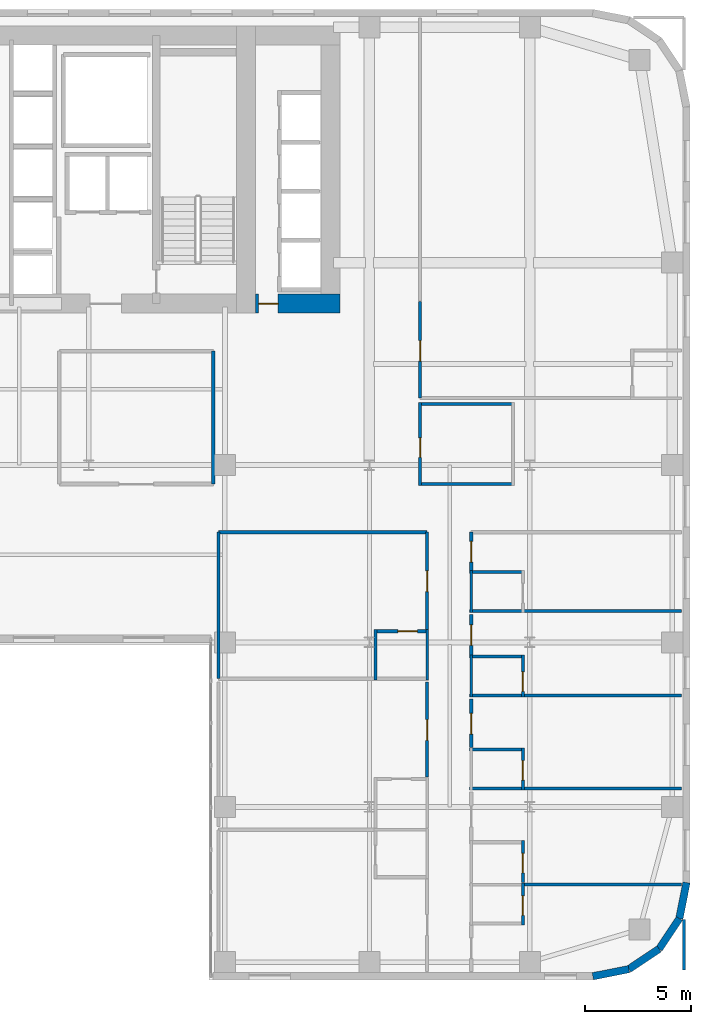
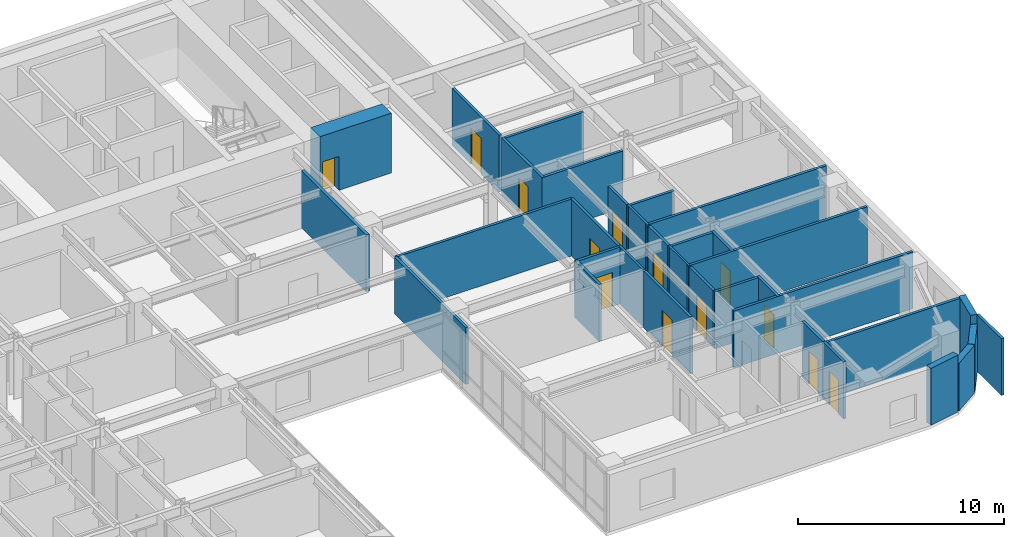
# One storey, part 13 of 17: 34 walls, 13 doors, 13 openings.
"""IFC4 building model written with IfcOpenShell, lengths in metres."""

from ifc_helpers import new_model, si_unit, direction, frame, frame_2d, origin, place, context, subcontext, project, spatial, rectangle, extrude, source, transform, mapped, material, layer, layer_set, type_object, type_shapes, element, fill, save


model = new_model("IFC4")

# Units and contexts
model_context = context("Model", 3, precision=1e-05, world=origin(), true_north=direction((0.0, 1.0)))
body_context = subcontext(model_context, "Body", "Model", "MODEL_VIEW")
ifc_project = project(units=[si_unit("LENGTHUNIT", "METRE"), si_unit("AREAUNIT", "SQUARE_METRE"), si_unit("VOLUMEUNIT", "CUBIC_METRE"), si_unit("PLANEANGLEUNIT", "RADIAN"), si_unit("MASSUNIT", "GRAM", prefix="KILO")], contexts=[model_context])

# Site, building, storey
site_placement = place(None, origin())
site = spatial("IfcSite", under=ifc_project, at=site_placement, CompositionType="ELEMENT")
building_placement = place(site_placement, origin())
building = spatial("IfcBuilding", under=site, at=building_placement, Name="Tolvann Quenvar Hotel", CompositionType="ELEMENT")
storey_placement = place(building_placement, frame((0.0, 0.0, 35.550048828125)))
storey = spatial("IfcBuildingStorey", under=building, at=storey_placement, Name="L07", CompositionType="ELEMENT", Elevation=35.550048828125)

# Wall, opening, door
ifc_material_1 = material(Name="Concrete S80 (80 MPa)", Category="concrete")
ifc_layer_1 = layer(ifc_material_1, 0.89990234375)
ifc_layer_set_1 = layer_set([ifc_layer_1], Name="Concrete S80 (80 MPa)")
wall_type_1 = type_object("IfcWallType", Name="WALL_CORE_900", PredefinedType="SHEAR", material=ifc_layer_set_1)
wall_1_placement = place(storey_placement, frame((36.39990234375, 32.050048828125, 0.0), z_axis=(0.0, 0.0, 1.0), x_axis=(1.0, 0.0, 0.0)))
wall_1 = element("IfcWall", 1, at=wall_1_placement, inside=storey, type_object=wall_type_1, Name="Core East Annex Shear Wall ANN-S (L07)", PredefinedType="SHEAR", context=body_context, shape_type="SweptSolid", body=[
    extrude(rectangle(XDim=4.0, YDim=0.89990234375, at=frame_2d((2.0, 0.0))), origin(), (0.0, 0.0, 1.0), 3.550048828125),
])
opening_1_placement = place(wall_1_placement, frame((1.06982421875, 0.0, 0.0), z_axis=(0.0, 0.0, 1.0), x_axis=(-1.0, 0.0, 0.0)))
opening_1 = element("IfcOpeningElement", 2, at=opening_1_placement, cuts=wall_1, Name="Opening WD-01", PredefinedType="OPENING", context=body_context, shape_type="SweptSolid", body=[
    extrude(rectangle(XDim=0.919921875, YDim=2.010009765625, at=frame_2d((0.4599609375, 1.0048828125))), frame((0.0, 0.4599609375, 0.0), z_axis=(0.0, -1.0, 0.0), x_axis=(1.0, 0.0, 0.0)), (0.0, 0.0, 1.0), 0.919921875),
])
ifc_material_2 = material(Name="Solid-core American oak acoustic fire door leaf in steel frame", Category="steel")
door_type_1 = type_object("IfcDoorType", Name="DOOR_WC_920", OperationType="NOTDEFINED", PredefinedType="DOOR", material=ifc_material_2)
shared_shape_1 = source(origin(), body_context, "Body", "SweptSolid", [
    extrude(rectangle(XDim=0.919921875, YDim=2.010009765625, at=frame_2d((0.4599609375, 1.0048828125))), frame((0.0, 0.02490234375, 0.0), z_axis=(0.0, -1.0, 0.0), x_axis=(1.0, 0.0, 0.0)), (0.0, 0.0, 1.0), 0.050048828125),
])
type_shapes(door_type_1, [shared_shape_1])
door_1_placement = place(opening_1_placement, origin())
door_1 = element("IfcDoor", 3, at=door_1_placement, inside=storey, type_object=door_type_1, Name="Low-Rise Lift Lobby Fire Door (L07)", OperationType="SINGLE_SWING_RIGHT", OverallHeight=2.010009765625, OverallWidth=0.919921875, PredefinedType="DOOR", context=body_context, shape_type="MappedRepresentation", body=[
    mapped(shared_shape_1, transform((0.0, 0.0, 0.0), x_axis=(1.0, 0.0, 0.0), y_axis=(0.0, 1.0, 0.0), z_axis=(0.0, 0.0, 1.0), scale=1.0)),
])
fill(opening_1, door_1)

# Walls
ifc_material_3 = material(Name="Kiln-fired red and buff architectural clay brickwork and terracotta masonry", Category="masonry")
ifc_layer_2 = layer(ifc_material_3, 0.35009765625)
ifc_layer_set_2 = layer_set([ifc_layer_2], Name="Kiln-fired red and buff architectural clay brickwork and terracotta masonry")
wall_type_2 = type_object("IfcWallType", Name="WALL_EXT_BRICK_350", PredefinedType="SOLIDWALL", material=ifc_layer_set_2)
wall_2_placement = place(storey_placement, frame((52.3828125, 0.175048828125, 0.0), z_axis=(0.0, 0.0, 1.0), x_axis=(0.980800971659, 0.195011420161, 0.0)))
element("IfcWall", 4, at=wall_2_placement, inside=storey, type_object=wall_type_2, Name="Exterior Chicago Brick Wall L07-E09", PredefinedType="SOLIDWALL", context=body_context, shape_type="SweptSolid", body=[
    extrude(rectangle(XDim=1.74267578125, YDim=0.35009765625, at=frame_2d((0.871337890625, 0.0))), origin(), (0.0, 0.0, 1.0), 3.369873046875),
])
for number, where, z_axis, x_axis, name in (
    (5, (54.092041015625, 0.514892578125, 0.0), (0.0, 0.0, 1.0), (0.831483840845, 0.55554893791, 0.0), "Exterior Chicago Brick Wall L07-E10"),
    (6, (55.526611328125, 1.473388671875, 0.0), (0.0, 0.0, 1.0), (0.55554893791, 0.831483840845, 0.0), "Exterior Chicago Brick Wall L07-E11"),
):
    element("IfcWall", number, at=place(storey_placement, frame(where, z_axis=z_axis, x_axis=x_axis)), inside=storey, type_object=wall_type_2, Name=name, PredefinedType="SOLIDWALL", context=body_context, shape_type="SweptSolid", body=[
        extrude(rectangle(XDim=1.725341796875, YDim=0.35009765625, at=frame_2d((0.86279296875, 0.0))), origin(), (0.0, 0.0, 1.0), 2.83203125),
    ])
wall_3_placement = place(storey_placement, frame((56.485107421875, 2.907958984375, 0.0), z_axis=(0.0, 0.0, 1.0), x_axis=(0.195011420161, 0.980800971659, 0.0)))
element("IfcWall", 7, at=wall_3_placement, inside=storey, type_object=wall_type_2, Name="Exterior Chicago Brick Wall L07-E12", PredefinedType="SOLIDWALL", context=body_context, shape_type="SweptSolid", body=[
    extrude(rectangle(XDim=1.74267578125, YDim=0.35009765625, at=frame_2d((0.871337890625, 0.0))), origin(), (0.0, 0.0, 1.0), 3.369873046875),
])
ifc_material_4 = material(Name="Acoustic twin-stud fire-rated gypsum plasterboard partition")
ifc_layer_3 = layer(ifc_material_4, 0.179931640625)
ifc_layer_set_3 = layer_set([ifc_layer_3], Name="Acoustic twin-stud fire-rated gypsum plasterboard partition")
wall_type_3 = type_object("IfcWallType", Name="WALL_PART_ACOUSTIC_180", PredefinedType="PARTITIONING", material=ifc_layer_set_3)
wall_4_placement = place(storey_placement, frame((34.39990234375, 23.5, 0.0), z_axis=(0.0, 0.0, 1.0), x_axis=(0.0, 1.0, 0.0)))
element("IfcWall", 8, at=wall_4_placement, inside=storey, type_object=wall_type_3, Name="Interior Partition PT-SPC-L07-MSP-C-E", PredefinedType="PARTITIONING", context=body_context, shape_type="SweptSolid", body=[
    extrude(rectangle(XDim=6.300048828125, YDim=0.179931640625, at=frame_2d((3.14990234375, 0.0))), origin(), (0.0, 0.0, 1.0), 3.369873046875),
])
ifc_material_5 = material(Name="Moisture-resistant acoustic plumbing wall assembly")
ifc_layer_4 = layer(ifc_material_5, 0.1201171875)
ifc_layer_set_4 = layer_set([ifc_layer_4], Name="Moisture-resistant acoustic plumbing wall assembly")
wall_type_4 = type_object("IfcWallType", Name="WALL_PART_BATH_120", PredefinedType="PLUMBINGWALL", material=ifc_layer_set_4)
wall_5_placement = place(storey_placement, frame((44.530029296875, 14.2099609375, 0.0), z_axis=(0.0, 0.0, 1.0), x_axis=(0.0, 1.0, 0.0)))
element("IfcWall", 9, at=wall_5_placement, inside=storey, type_object=wall_type_4, Name="Non-Rated Plumbing Partition PT-SPC-L07-ENS-EI03-E", PredefinedType="PLUMBINGWALL", context=body_context, shape_type="SweptSolid", body=[
    extrude(rectangle(XDim=2.39013671875, YDim=0.1201171875, at=frame_2d((1.195068359375, 0.0))), origin(), (0.0, 0.0, 1.0), 3.369873046875),
])
for number, where, z_axis, x_axis, name in (
    (10, (46.6201171875, 13.409912109375, 0.0), (0.0, 0.0, 1.0), (0.0, 1.0, 0.0), "Non-Rated Plumbing Partition PT-SPC-L07-ENS-EO04-W"),
    (11, (46.6201171875, 17.409912109375, 0.0), (0.0, 0.0, 1.0), (0.0, 1.0, 0.0), "Non-Rated Plumbing Partition PT-SPC-L07-ENS-EO05-W"),
):
    element("IfcWall", number, at=place(storey_placement, frame(where, z_axis=z_axis, x_axis=x_axis)), inside=storey, type_object=wall_type_4, Name=name, PredefinedType="PLUMBINGWALL", context=body_context, shape_type="SweptSolid", body=[
        extrude(rectangle(XDim=1.989990234375, YDim=0.1201171875, at=frame_2d((0.9951171875, 0.0))), origin(), (0.0, 0.0, 1.0), 3.369873046875),
    ])
ifc_layer_5 = layer(ifc_material_4, 0.14990234375)
ifc_layer_set_5 = layer_set([ifc_layer_5], Name="Acoustic twin-stud fire-rated gypsum plasterboard partition")
wall_type_5 = type_object("IfcWallType", Name="WALL_PART_SUITE_150", PredefinedType="PARTITIONING", material=ifc_layer_set_5)
wall_6_placement = place(storey_placement, frame((42.080078125, 14.2099609375, 0.0), z_axis=(0.0, 0.0, 1.0), x_axis=(0.0, 1.0, 0.0)))
element("IfcWall", 12, at=wall_6_placement, inside=storey, type_object=wall_type_5, Name="Interior Partition PT-SPC-L07-ENS-EI03-ENT", PredefinedType="PARTITIONING", context=body_context, shape_type="SweptSolid", body=[
    extrude(rectangle(XDim=2.39013671875, YDim=0.14990234375, at=frame_2d((1.195068359375, 0.0))), origin(), (0.0, 0.0, 1.0), 3.369873046875),
])

# Wall, opening, door
wall_7_placement = place(storey_placement, frame((42.010009765625, 16.530029296875, 0.0), z_axis=(0.0, 0.0, 1.0), x_axis=(1.0, 0.0, 0.0)))
wall_7 = element("IfcWall", 13, at=wall_7_placement, inside=storey, type_object=wall_type_5, Name="Interior Partition PT-SPC-L07-ENS-EI03-N", PredefinedType="PARTITIONING", context=body_context, shape_type="SweptSolid", body=[
    extrude(rectangle(XDim=2.590087890625, YDim=0.14990234375, at=frame_2d((1.294921875, 0.0))), origin(), (0.0, 0.0, 1.0), 3.369873046875),
])
opening_2_placement = place(wall_7_placement, frame((1.135009765625, 0.0, 0.0)))
opening_2 = element("IfcOpeningElement", 14, at=opening_2_placement, cuts=wall_7, Name="Opening WD-01", PredefinedType="OPENING", context=body_context, shape_type="SweptSolid", body=[
    extrude(rectangle(XDim=0.919921875, YDim=2.010009765625, at=frame_2d((0.4599609375, 1.0048828125))), frame((0.0, 0.0849609375, 0.0), z_axis=(0.0, -1.0, 0.0), x_axis=(1.0, 0.0, 0.0)), (0.0, 0.0, 1.0), 0.169921875),
])
door_2_placement = place(opening_2_placement, origin())
door_2 = element("IfcDoor", 15, at=door_2_placement, inside=storey, type_object=door_type_1, Name="Interior Door DOOR-SPC-L07-ENS-EI03", OperationType="SINGLE_SWING_RIGHT", OverallHeight=2.010009765625, OverallWidth=0.919921875, PredefinedType="DOOR", context=body_context, shape_type="MappedRepresentation", body=[
    mapped(shared_shape_1, transform((0.0, 0.0, 0.0), x_axis=(1.0, 0.0, 0.0), y_axis=(0.0, 1.0, 0.0), z_axis=(0.0, 0.0, 1.0), scale=1.0)),
])
fill(opening_2, door_2)

wall_8_placement = place(storey_placement, frame((49.070068359375, 2.60009765625, 0.0), z_axis=(0.0, 0.0, 1.0), x_axis=(0.0, 1.0, 0.0)))
wall_8 = element("IfcWall", 16, at=wall_8_placement, inside=storey, type_object=wall_type_5, Name="Interior Partition PT-SPC-L07-ENS-EO01-ENT", PredefinedType="PARTITIONING", context=body_context, shape_type="SweptSolid", body=[
    extrude(rectangle(XDim=1.989990234375, YDim=0.14990234375, at=frame_2d((0.9951171875, 0.0))), origin(), (0.0, 0.0, 1.0), 3.369873046875),
])
opening_3_placement = place(wall_8_placement, frame((0.465087890625, 0.0, 0.0)))
opening_3 = element("IfcOpeningElement", 17, at=opening_3_placement, cuts=wall_8, Name="Opening WD-01", PredefinedType="OPENING", context=body_context, shape_type="SweptSolid", body=[
    extrude(rectangle(XDim=0.919921875, YDim=2.010009765625, at=frame_2d((0.4599609375, 1.0048828125))), frame((0.0, 0.0849609375, 0.0), z_axis=(0.0, -1.0, 0.0), x_axis=(1.0, 0.0, 0.0)), (0.0, 0.0, 1.0), 0.169921875),
])
door_3_placement = place(opening_3_placement, origin())
door_3 = element("IfcDoor", 18, at=door_3_placement, inside=storey, type_object=door_type_1, Name="Interior Door DOOR-SPC-L07-ENS-EO01", OperationType="SINGLE_SWING_LEFT", OverallHeight=2.010009765625, OverallWidth=0.919921875, PredefinedType="DOOR", context=body_context, shape_type="MappedRepresentation", body=[
    mapped(shared_shape_1, transform((0.0, 0.0, 0.0), x_axis=(1.0, 0.0, 0.0), y_axis=(0.0, 1.0, 0.0), z_axis=(0.0, 0.0, 1.0), scale=1.0)),
])
fill(opening_3, door_3)

wall_9_placement = place(storey_placement, frame((49.070068359375, 4.610107421875, 0.0), z_axis=(0.0, 0.0, 1.0), x_axis=(0.0, 1.0, 0.0)))
wall_9 = element("IfcWall", 19, at=wall_9_placement, inside=storey, type_object=wall_type_5, Name="Interior Partition PT-SPC-L07-ENS-EO02-ENT", PredefinedType="PARTITIONING", context=body_context, shape_type="SweptSolid", body=[
    extrude(rectangle(XDim=1.989990234375, YDim=0.14990234375, at=frame_2d((0.9951171875, 0.0))), origin(), (0.0, 0.0, 1.0), 3.369873046875),
])
opening_4_placement = place(wall_9_placement, frame((0.465087890625, 0.0, 0.0)))
opening_4 = element("IfcOpeningElement", 20, at=opening_4_placement, cuts=wall_9, Name="Opening WD-01", PredefinedType="OPENING", context=body_context, shape_type="SweptSolid", body=[
    extrude(rectangle(XDim=0.919921875, YDim=2.010009765625, at=frame_2d((0.4599609375, 1.0048828125))), frame((0.0, 0.0849609375, 0.0), z_axis=(0.0, -1.0, 0.0), x_axis=(1.0, 0.0, 0.0)), (0.0, 0.0, 1.0), 0.169921875),
])
door_4_placement = place(opening_4_placement, origin())
door_4 = element("IfcDoor", 21, at=door_4_placement, inside=storey, type_object=door_type_1, Name="Interior Door DOOR-SPC-L07-ENS-EO02", OperationType="SINGLE_SWING_RIGHT", OverallHeight=2.010009765625, OverallWidth=0.919921875, PredefinedType="DOOR", context=body_context, shape_type="MappedRepresentation", body=[
    mapped(shared_shape_1, transform((0.0, 0.0, 0.0), x_axis=(1.0, 0.0, 0.0), y_axis=(0.0, 1.0, 0.0), z_axis=(0.0, 0.0, 1.0), scale=1.0)),
])
fill(opening_4, door_4)

wall_10_placement = place(storey_placement, frame((49.070068359375, 9.010009765625, 0.0), z_axis=(0.0, 0.0, 1.0), x_axis=(0.0, 1.0, 0.0)))
wall_10 = element("IfcWall", 22, at=wall_10_placement, inside=storey, type_object=wall_type_5, Name="Interior Partition PT-SPC-L07-ENS-EO03-ENT", PredefinedType="PARTITIONING", context=body_context, shape_type="SweptSolid", body=[
    extrude(rectangle(XDim=1.989990234375, YDim=0.14990234375, at=frame_2d((0.9951171875, 0.0))), origin(), (0.0, 0.0, 1.0), 3.369873046875),
])
opening_5_placement = place(wall_10_placement, frame((0.465087890625, 0.0, 0.0)))
opening_5 = element("IfcOpeningElement", 23, at=opening_5_placement, cuts=wall_10, Name="Opening WD-01", PredefinedType="OPENING", context=body_context, shape_type="SweptSolid", body=[
    extrude(rectangle(XDim=0.919921875, YDim=2.010009765625, at=frame_2d((0.4599609375, 1.0048828125))), frame((0.0, 0.0849609375, 0.0), z_axis=(0.0, -1.0, 0.0), x_axis=(1.0, 0.0, 0.0)), (0.0, 0.0, 1.0), 0.169921875),
])
door_5_placement = place(opening_5_placement, origin())
door_5 = element("IfcDoor", 24, at=door_5_placement, inside=storey, type_object=door_type_1, Name="Interior Door DOOR-SPC-L07-ENS-EO03", OperationType="SINGLE_SWING_LEFT", OverallHeight=2.010009765625, OverallWidth=0.919921875, PredefinedType="DOOR", context=body_context, shape_type="MappedRepresentation", body=[
    mapped(shared_shape_1, transform((0.0, 0.0, 0.0), x_axis=(1.0, 0.0, 0.0), y_axis=(0.0, 1.0, 0.0), z_axis=(0.0, 0.0, 1.0), scale=1.0)),
])
fill(opening_5, door_5)

# Walls
wall_11_placement = place(storey_placement, frame((46.550048828125, 9.080078125, 0.0), z_axis=(0.0, 0.0, 1.0), x_axis=(1.0, 0.0, 0.0)))
element("IfcWall", 25, at=wall_11_placement, inside=storey, type_object=wall_type_5, Name="Interior Partition PT-SPC-L07-ENS-EO03-S", PredefinedType="PARTITIONING", context=body_context, shape_type="SweptSolid", body=[
    extrude(rectangle(XDim=10.044921875, YDim=0.14990234375, at=frame_2d((5.0224609375, 0.0))), origin(), (0.0, 0.0, 1.0), 3.369873046875),
])
wall_12_placement = place(storey_placement, frame((46.550048828125, 10.929931640625, 0.0), z_axis=(0.0, 0.0, 1.0), x_axis=(1.0, 0.0, 0.0)))
element("IfcWall", 26, at=wall_12_placement, inside=storey, type_object=wall_type_5, Name="Interior Partition PT-SPC-L07-ENS-EO03-N", PredefinedType="PARTITIONING", context=body_context, shape_type="SweptSolid", body=[
    extrude(rectangle(XDim=2.58984375, YDim=0.14990234375, at=frame_2d((1.294921875, 0.0))), origin(), (0.0, 0.0, 1.0), 3.369873046875),
])

# Wall, opening, door
wall_13_placement = place(storey_placement, frame((49.070068359375, 13.409912109375, 0.0), z_axis=(0.0, 0.0, 1.0), x_axis=(0.0, 1.0, 0.0)))
wall_13 = element("IfcWall", 27, at=wall_13_placement, inside=storey, type_object=wall_type_5, Name="Interior Partition PT-SPC-L07-ENS-EO04-ENT", PredefinedType="PARTITIONING", context=body_context, shape_type="SweptSolid", body=[
    extrude(rectangle(XDim=1.989990234375, YDim=0.14990234375, at=frame_2d((0.9951171875, 0.0))), origin(), (0.0, 0.0, 1.0), 3.369873046875),
])
opening_6_placement = place(wall_13_placement, frame((0.27001953125, 0.0, 0.0)))
opening_6 = element("IfcOpeningElement", 28, at=opening_6_placement, cuts=wall_13, Name="Opening WD-01", PredefinedType="OPENING", context=body_context, shape_type="SweptSolid", body=[
    extrude(rectangle(XDim=0.919921875, YDim=2.010009765625, at=frame_2d((0.4599609375, 1.0048828125))), frame((0.0, 0.0849609375, 0.0), z_axis=(0.0, -1.0, 0.0), x_axis=(1.0, 0.0, 0.0)), (0.0, 0.0, 1.0), 0.169921875),
])
door_6_placement = place(opening_6_placement, origin())
door_6 = element("IfcDoor", 29, at=door_6_placement, inside=storey, type_object=door_type_1, Name="Interior Door DOOR-SPC-L07-ENS-EO04", OperationType="SINGLE_SWING_RIGHT", OverallHeight=2.010009765625, OverallWidth=0.919921875, PredefinedType="DOOR", context=body_context, shape_type="MappedRepresentation", body=[
    mapped(shared_shape_1, transform((0.0, 0.0, 0.0), x_axis=(1.0, 0.0, 0.0), y_axis=(0.0, 1.0, 0.0), z_axis=(0.0, 0.0, 1.0), scale=1.0)),
])
fill(opening_6, door_6)

# Walls
wall_14_placement = place(storey_placement, frame((46.550048828125, 13.47998046875, 0.0), z_axis=(0.0, 0.0, 1.0), x_axis=(1.0, 0.0, 0.0)))
element("IfcWall", 30, at=wall_14_placement, inside=storey, type_object=wall_type_5, Name="Interior Partition PT-SPC-L07-ENS-EO04-S", PredefinedType="PARTITIONING", context=body_context, shape_type="SweptSolid", body=[
    extrude(rectangle(XDim=10.044921875, YDim=0.14990234375, at=frame_2d((5.0224609375, 0.0))), origin(), (0.0, 0.0, 1.0), 3.369873046875),
])
wall_15_placement = place(storey_placement, frame((46.550048828125, 15.330078125, 0.0), z_axis=(0.0, 0.0, 1.0), x_axis=(1.0, 0.0, 0.0)))
element("IfcWall", 31, at=wall_15_placement, inside=storey, type_object=wall_type_5, Name="Interior Partition PT-SPC-L07-ENS-EO04-N", PredefinedType="PARTITIONING", context=body_context, shape_type="SweptSolid", body=[
    extrude(rectangle(XDim=2.58984375, YDim=0.14990234375, at=frame_2d((1.294921875, 0.0))), origin(), (0.0, 0.0, 1.0), 3.369873046875),
])
wall_16_placement = place(storey_placement, frame((46.550048828125, 17.47998046875, 0.0), z_axis=(0.0, 0.0, 1.0), x_axis=(1.0, 0.0, 0.0)))
element("IfcWall", 32, at=wall_16_placement, inside=storey, type_object=wall_type_5, Name="Interior Partition PT-SPC-L07-ENS-EO05-S", PredefinedType="PARTITIONING", context=body_context, shape_type="SweptSolid", body=[
    extrude(rectangle(XDim=10.044921875, YDim=0.14990234375, at=frame_2d((5.0224609375, 0.0))), origin(), (0.0, 0.0, 1.0), 3.369873046875),
])
wall_17_placement = place(storey_placement, frame((46.550048828125, 19.330078125, 0.0), z_axis=(0.0, 0.0, 1.0), x_axis=(1.0, 0.0, 0.0)))
element("IfcWall", 33, at=wall_17_placement, inside=storey, type_object=wall_type_5, Name="Interior Partition PT-SPC-L07-ENS-EO05-N", PredefinedType="PARTITIONING", context=body_context, shape_type="SweptSolid", body=[
    extrude(rectangle(XDim=2.58984375, YDim=0.14990234375, at=frame_2d((1.294921875, 0.0))), origin(), (0.0, 0.0, 1.0), 3.369873046875),
])

# Wall, opening, door
wall_18_placement = place(storey_placement, frame((44.530029296875, 9.610107421875, 0.0), z_axis=(0.0, 0.0, 1.0), x_axis=(0.0, 1.0, 0.0)))
wall_18 = element("IfcWall", 34, at=wall_18_placement, inside=storey, type_object=wall_type_5, Name="Interior Partition PT-SPC-L07-RM-EI02-ENT", PredefinedType="PARTITIONING", context=body_context, shape_type="SweptSolid", body=[
    extrude(rectangle(XDim=4.510009765625, YDim=0.14990234375, at=frame_2d((2.2548828125, 0.0))), origin(), (0.0, 0.0, 1.0), 3.369873046875),
])
opening_7_placement = place(wall_18_placement, frame((1.7451171875, 0.0, 0.0)))
opening_7 = element("IfcOpeningElement", 35, at=opening_7_placement, cuts=wall_18, Name="Opening SD-01", PredefinedType="OPENING", context=body_context, shape_type="SweptSolid", body=[
    extrude(rectangle(XDim=0.97998046875, YDim=2.1201171875, at=frame_2d((0.489990234375, 1.06005859375))), frame((0.0, 0.0849609375, 0.0), z_axis=(0.0, -1.0, 0.0), x_axis=(1.0, 0.0, 0.0)), (0.0, 0.0, 1.0), 0.169921875),
])
door_type_2 = type_object("IfcDoorType", Name="DOOR_SUITE_980", OperationType="NOTDEFINED", PredefinedType="DOOR", material=ifc_material_2)
shared_shape_2 = source(origin(), body_context, "Body", "SweptSolid", [
    extrude(rectangle(XDim=0.97998046875, YDim=2.1201171875, at=frame_2d((0.489990234375, 1.06005859375))), frame((0.0, 0.02490234375, 0.0), z_axis=(0.0, -1.0, 0.0), x_axis=(1.0, 0.0, 0.0)), (0.0, 0.0, 1.0), 0.050048828125),
])
type_shapes(door_type_2, [shared_shape_2])
door_7_placement = place(opening_7_placement, origin())
door_7 = element("IfcDoor", 36, at=door_7_placement, inside=storey, type_object=door_type_2, Name="Interior Door DOOR-SPC-L07-RM-EI02", OperationType="SINGLE_SWING_LEFT", OverallHeight=2.1201171875, OverallWidth=0.97998046875, PredefinedType="DOOR", context=body_context, shape_type="MappedRepresentation", body=[
    mapped(shared_shape_2, transform((0.0, 0.0, 0.0), x_axis=(1.0, 0.0, 0.0), y_axis=(0.0, 1.0, 0.0), z_axis=(0.0, 0.0, 1.0), scale=1.0)),
])
fill(opening_7, door_7)

wall_19_placement = place(storey_placement, frame((44.530029296875, 16.610107421875, 0.0), z_axis=(0.0, 0.0, 1.0), x_axis=(0.0, 1.0, 0.0)))
wall_19 = element("IfcWall", 37, at=wall_19_placement, inside=storey, type_object=wall_type_5, Name="Interior Partition PT-SPC-L07-RM-EI03-ENT", PredefinedType="PARTITIONING", context=body_context, shape_type="SweptSolid", body=[
    extrude(rectangle(XDim=4.60986328125, YDim=0.14990234375, at=frame_2d((2.304931640625, 0.0))), origin(), (0.0, 0.0, 1.0), 3.369873046875),
])
opening_8_placement = place(wall_19_placement, frame((1.794921875, 0.0, 0.0)))
opening_8 = element("IfcOpeningElement", 38, at=opening_8_placement, cuts=wall_19, Name="Opening SD-01", PredefinedType="OPENING", context=body_context, shape_type="SweptSolid", body=[
    extrude(rectangle(XDim=0.97998046875, YDim=2.1201171875, at=frame_2d((0.489990234375, 1.06005859375))), frame((0.0, 0.0849609375, 0.0), z_axis=(0.0, -1.0, 0.0), x_axis=(1.0, 0.0, 0.0)), (0.0, 0.0, 1.0), 0.169921875),
])
door_8_placement = place(opening_8_placement, origin())
door_8 = element("IfcDoor", 39, at=door_8_placement, inside=storey, type_object=door_type_2, Name="Interior Door DOOR-SPC-L07-RM-EI03", OperationType="SINGLE_SWING_RIGHT", OverallHeight=2.1201171875, OverallWidth=0.97998046875, PredefinedType="DOOR", context=body_context, shape_type="MappedRepresentation", body=[
    mapped(shared_shape_2, transform((0.0, 0.0, 0.0), x_axis=(1.0, 0.0, 0.0), y_axis=(0.0, 1.0, 0.0), z_axis=(0.0, 0.0, 1.0), scale=1.0)),
])
fill(opening_8, door_8)

# Walls
wall_20_placement = place(storey_placement, frame((34.64990234375, 21.219970703125, 0.0), z_axis=(0.0, 0.0, 1.0), x_axis=(1.0, 0.0, 0.0)))
element("IfcWall", 40, at=wall_20_placement, inside=storey, type_object=wall_type_5, Name="Interior Partition PT-SPC-L07-RM-EI03-E5", PredefinedType="PARTITIONING", context=body_context, shape_type="SweptSolid", body=[
    extrude(rectangle(XDim=9.880126953125, YDim=0.14990234375, at=frame_2d((4.93994140625, 0.0))), origin(), (0.0, 0.0, 1.0), 3.369873046875),
])
wall_21_placement = place(storey_placement, frame((34.64990234375, 14.280029296875, 0.0), z_axis=(0.0, 0.0, 1.0), x_axis=(0.0, 1.0, 0.0)))
element("IfcWall", 41, at=wall_21_placement, inside=storey, type_object=wall_type_5, Name="Interior Partition PT-SPC-L07-RM-EI03-E6", PredefinedType="PARTITIONING", context=body_context, shape_type="SweptSolid", body=[
    extrude(rectangle(XDim=6.93994140625, YDim=0.14990234375, at=frame_2d((3.469970703125, 0.0))), origin(), (0.0, 0.0, 1.0), 3.369873046875),
])
wall_22_placement = place(storey_placement, frame((56.699951171875, 0.47998046875, 0.0), z_axis=(0.0, 0.0, 1.0), x_axis=(0.0, 1.0, 0.0)))
element("IfcWall", 42, at=wall_22_placement, inside=storey, type_object=wall_type_5, Name="Interior Partition PT-SPC-L07-RM-EO01-E2", PredefinedType="PARTITIONING", context=body_context, shape_type="SweptSolid", body=[
    extrude(rectangle(XDim=2.385009765625, YDim=0.14990234375, at=frame_2d((1.1923828125, 0.0))), origin(), (0.0, 0.0, 1.0), 3.369873046875),
])
wall_23_placement = place(storey_placement, frame((49.14990234375, 4.52001953125, 0.0), z_axis=(0.0, 0.0, 1.0), x_axis=(1.0, 0.0, 0.0)))
element("IfcWall", 43, at=wall_23_placement, inside=storey, type_object=wall_type_5, Name="Interior Partition PT-SPC-L07-RM-EO01-E3", PredefinedType="PARTITIONING", context=body_context, shape_type="SweptSolid", body=[
    extrude(rectangle(XDim=7.445068359375, YDim=0.14990234375, at=frame_2d((3.72265625, 0.0))), origin(), (0.0, 0.0, 1.0), 3.369873046875),
])

# Wall, opening, door
wall_24_placement = place(storey_placement, frame((46.6201171875, 11.010009765625, 0.0), z_axis=(0.0, 0.0, 1.0), x_axis=(0.0, 1.0, 0.0)))
wall_24 = element("IfcWall", 44, at=wall_24_placement, inside=storey, type_object=wall_type_5, Name="Interior Partition PT-SPC-L07-RM-EO03-ENT", PredefinedType="PARTITIONING", context=body_context, shape_type="SweptSolid", body=[
    extrude(rectangle(XDim=2.31005859375, YDim=0.14990234375, at=frame_2d((1.155029296875, 0.0))), origin(), (0.0, 0.0, 1.0), 3.369873046875),
])
opening_9_placement = place(wall_24_placement, frame((0.64501953125, 0.0, 0.0)))
opening_9 = element("IfcOpeningElement", 45, at=opening_9_placement, cuts=wall_24, Name="Opening SD-01", PredefinedType="OPENING", context=body_context, shape_type="SweptSolid", body=[
    extrude(rectangle(XDim=0.97998046875, YDim=2.1201171875, at=frame_2d((0.489990234375, 1.06005859375))), frame((0.0, 0.0849609375, 0.0), z_axis=(0.0, -1.0, 0.0), x_axis=(1.0, 0.0, 0.0)), (0.0, 0.0, 1.0), 0.169921875),
])
door_9_placement = place(opening_9_placement, origin())
door_9 = element("IfcDoor", 46, at=door_9_placement, inside=storey, type_object=door_type_2, Name="Interior Door DOOR-SPC-L07-RM-EO03", OperationType="SINGLE_SWING_LEFT", OverallHeight=2.1201171875, OverallWidth=0.97998046875, PredefinedType="DOOR", context=body_context, shape_type="MappedRepresentation", body=[
    mapped(shared_shape_2, transform((0.0, 0.0, 0.0), x_axis=(1.0, 0.0, 0.0), y_axis=(0.0, 1.0, 0.0), z_axis=(0.0, 0.0, 1.0), scale=1.0)),
])
fill(opening_9, door_9)

wall_25_placement = place(storey_placement, frame((46.6201171875, 15.409912109375, 0.0), z_axis=(0.0, 0.0, 1.0), x_axis=(0.0, 1.0, 0.0)))
wall_25 = element("IfcWall", 47, at=wall_25_placement, inside=storey, type_object=wall_type_5, Name="Interior Partition PT-SPC-L07-RM-EO04-ENT", PredefinedType="PARTITIONING", context=body_context, shape_type="SweptSolid", body=[
    extrude(rectangle(XDim=1.91015625, YDim=0.14990234375, at=frame_2d((0.955078125, 0.0))), origin(), (0.0, 0.0, 1.0), 3.369873046875),
])
opening_10_placement = place(wall_25_placement, frame((0.445068359375, 0.0, 0.0)))
opening_10 = element("IfcOpeningElement", 48, at=opening_10_placement, cuts=wall_25, Name="Opening SD-01", PredefinedType="OPENING", context=body_context, shape_type="SweptSolid", body=[
    extrude(rectangle(XDim=0.97998046875, YDim=2.1201171875, at=frame_2d((0.489990234375, 1.06005859375))), frame((0.0, 0.0849609375, 0.0), z_axis=(0.0, -1.0, 0.0), x_axis=(1.0, 0.0, 0.0)), (0.0, 0.0, 1.0), 0.169921875),
])
door_10_placement = place(opening_10_placement, origin())
door_10 = element("IfcDoor", 49, at=door_10_placement, inside=storey, type_object=door_type_2, Name="Interior Door DOOR-SPC-L07-RM-EO04", OperationType="SINGLE_SWING_RIGHT", OverallHeight=2.1201171875, OverallWidth=0.97998046875, PredefinedType="DOOR", context=body_context, shape_type="MappedRepresentation", body=[
    mapped(shared_shape_2, transform((0.0, 0.0, 0.0), x_axis=(1.0, 0.0, 0.0), y_axis=(0.0, 1.0, 0.0), z_axis=(0.0, 0.0, 1.0), scale=1.0)),
])
fill(opening_10, door_10)

wall_26_placement = place(storey_placement, frame((46.6201171875, 19.409912109375, 0.0), z_axis=(0.0, 0.0, 1.0), x_axis=(0.0, 1.0, 0.0)))
wall_26 = element("IfcWall", 50, at=wall_26_placement, inside=storey, type_object=wall_type_5, Name="Interior Partition PT-SPC-L07-RM-EO05-ENT", PredefinedType="PARTITIONING", context=body_context, shape_type="SweptSolid", body=[
    extrude(rectangle(XDim=1.81005859375, YDim=0.14990234375, at=frame_2d((0.905029296875, 0.0))), origin(), (0.0, 0.0, 1.0), 3.369873046875),
])
opening_11_placement = place(wall_26_placement, frame((0.39501953125, 0.0, 0.0)))
opening_11 = element("IfcOpeningElement", 51, at=opening_11_placement, cuts=wall_26, Name="Opening SD-01", PredefinedType="OPENING", context=body_context, shape_type="SweptSolid", body=[
    extrude(rectangle(XDim=0.97998046875, YDim=2.1201171875, at=frame_2d((0.489990234375, 1.06005859375))), frame((0.0, 0.0849609375, 0.0), z_axis=(0.0, -1.0, 0.0), x_axis=(1.0, 0.0, 0.0)), (0.0, 0.0, 1.0), 0.169921875),
])
door_11_placement = place(opening_11_placement, origin())
door_11 = element("IfcDoor", 52, at=door_11_placement, inside=storey, type_object=door_type_2, Name="Interior Door DOOR-SPC-L07-RM-EO05", OperationType="SINGLE_SWING_LEFT", OverallHeight=2.1201171875, OverallWidth=0.97998046875, PredefinedType="DOOR", context=body_context, shape_type="MappedRepresentation", body=[
    mapped(shared_shape_2, transform((0.0, 0.0, 0.0), x_axis=(1.0, 0.0, 0.0), y_axis=(0.0, 1.0, 0.0), z_axis=(0.0, 0.0, 1.0), scale=1.0)),
])
fill(opening_11, door_11)

wall_27_placement = place(storey_placement, frame((44.199951171875, 23.429931640625, 0.0), z_axis=(0.0, 0.0, 1.0), x_axis=(0.0, 1.0, 0.0)))
wall_27 = element("IfcWall", 53, at=wall_27_placement, inside=storey, type_object=wall_type_5, Name="Interior Partition PT-SPC-L07-WCA-ENT", PredefinedType="PARTITIONING", context=body_context, shape_type="SweptSolid", body=[
    extrude(rectangle(XDim=3.940185546875, YDim=0.14990234375, at=frame_2d((1.97021484375, 0.0))), origin(), (0.0, 0.0, 1.0), 3.369873046875),
])
opening_12_placement = place(wall_27_placement, frame((1.340087890625, 0.0, 0.0)))
opening_12 = element("IfcOpeningElement", 54, at=opening_12_placement, cuts=wall_27, Name="Opening WD-01", PredefinedType="OPENING", context=body_context, shape_type="SweptSolid", body=[
    extrude(rectangle(XDim=0.919921875, YDim=2.010009765625, at=frame_2d((0.4599609375, 1.0048828125))), frame((0.0, 0.0849609375, 0.0), z_axis=(0.0, -1.0, 0.0), x_axis=(1.0, 0.0, 0.0)), (0.0, 0.0, 1.0), 0.169921875),
])
door_12_placement = place(opening_12_placement, origin())
door_12 = element("IfcDoor", 55, at=door_12_placement, inside=storey, type_object=door_type_1, Name="Interior Door DOOR-SPC-L07-WCA", OperationType="SINGLE_SWING_LEFT", OverallHeight=2.010009765625, OverallWidth=0.919921875, PredefinedType="DOOR", context=body_context, shape_type="MappedRepresentation", body=[
    mapped(shared_shape_1, transform((0.0, 0.0, 0.0), x_axis=(1.0, 0.0, 0.0), y_axis=(0.0, 1.0, 0.0), z_axis=(0.0, 0.0, 1.0), scale=1.0)),
])
fill(opening_12, door_12)

# Walls
for number, where, z_axis, x_axis, name in (
    (56, (44.1298828125, 23.5, 0.0), (0.0, 0.0, 1.0), (1.0, 0.0, 0.0), "Interior Partition PT-SPC-L07-WCA-S"),
    (57, (44.1298828125, 27.300048828125, 0.0), (0.0, 0.0, 1.0), (1.0, 0.0, 0.0), "Interior Partition PT-SPC-L07-WCA-N"),
):
    element("IfcWall", number, at=place(storey_placement, frame(where, z_axis=z_axis, x_axis=x_axis)), inside=storey, type_object=wall_type_5, Name=name, PredefinedType="PARTITIONING", context=body_context, shape_type="SweptSolid", body=[
        extrude(rectangle(XDim=4.5400390625, YDim=0.14990234375, at=frame_2d((2.27001953125, 0.0))), origin(), (0.0, 0.0, 1.0), 3.369873046875),
    ])

# Wall, opening, door
wall_28_placement = place(storey_placement, frame((44.199951171875, 27.580078125, 0.0), z_axis=(0.0, 0.0, 1.0), x_axis=(0.0, 1.0, 0.0)))
wall_28 = element("IfcWall", 58, at=wall_28_placement, inside=storey, type_object=wall_type_5, Name="Interior Partition PT-SPC-L07-RM-NE01-ENT", PredefinedType="PARTITIONING", context=body_context, shape_type="SweptSolid", body=[
    extrude(rectangle(XDim=4.579833984375, YDim=0.14990234375, at=frame_2d((2.2900390625, 0.0))), origin(), (0.0, 0.0, 1.0), 3.369873046875),
])
opening_13_placement = place(wall_28_placement, frame((1.7451171875, 0.0, 0.0)))
opening_13 = element("IfcOpeningElement", 59, at=opening_13_placement, cuts=wall_28, Name="Opening SD-01", PredefinedType="OPENING", context=body_context, shape_type="SweptSolid", body=[
    extrude(rectangle(XDim=0.97998046875, YDim=2.1201171875, at=frame_2d((0.489990234375, 1.06005859375))), frame((0.0, 0.0849609375, 0.0), z_axis=(0.0, -1.0, 0.0), x_axis=(1.0, 0.0, 0.0)), (0.0, 0.0, 1.0), 0.169921875),
])
door_13_placement = place(opening_13_placement, origin())
door_13 = element("IfcDoor", 60, at=door_13_placement, inside=storey, type_object=door_type_2, Name="Interior Door DOOR-SPC-L07-RM-NE01", OperationType="SINGLE_SWING_RIGHT", OverallHeight=2.1201171875, OverallWidth=0.97998046875, PredefinedType="DOOR", context=body_context, shape_type="MappedRepresentation", body=[
    mapped(shared_shape_2, transform((0.0, 0.0, 0.0), x_axis=(1.0, 0.0, 0.0), y_axis=(0.0, 1.0, 0.0), z_axis=(0.0, 0.0, 1.0), scale=1.0)),
])
fill(opening_13, door_13)

save(model, "model.ifc")
